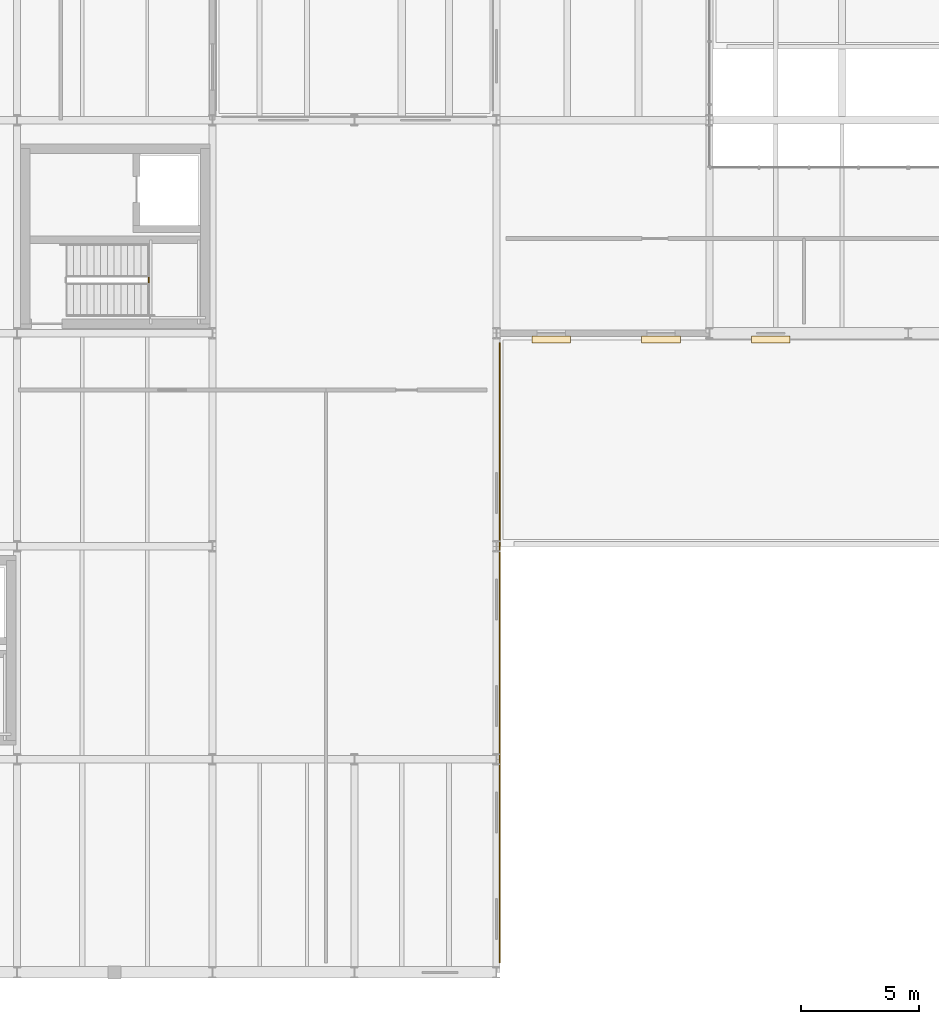
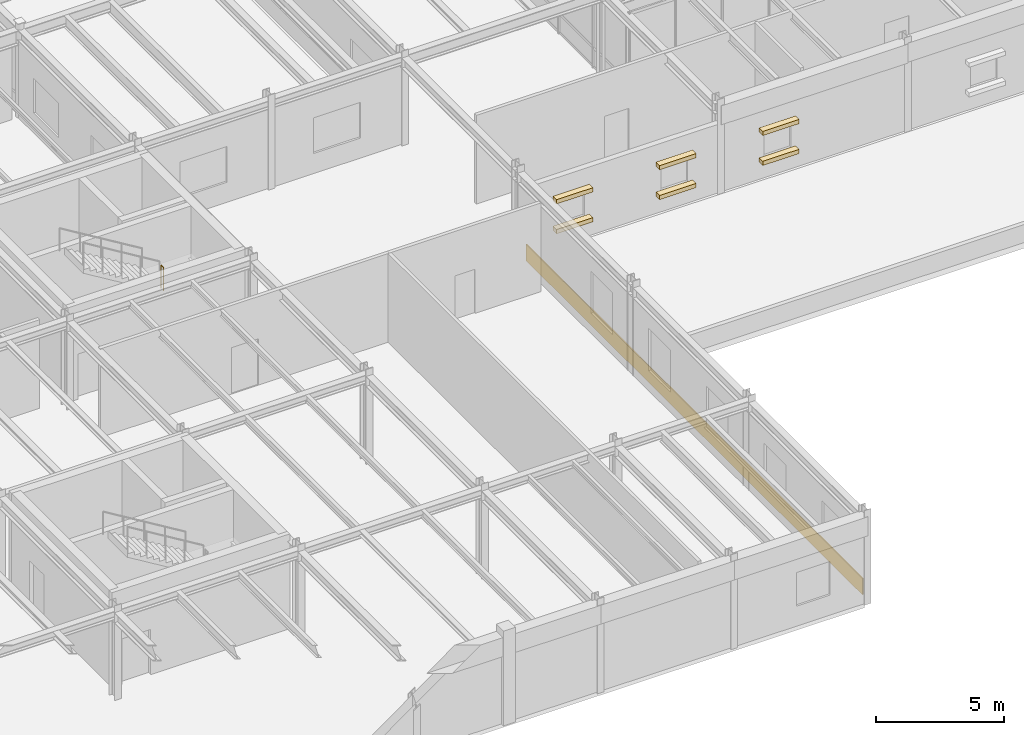
# One storey, part 59 of 64: 7 coverings, 1 railing.
"""IFC4 building model written with IfcOpenShell, lengths in metres."""

from ifc_helpers import new_model, si_unit, direction, frame, origin, origin_2d, place, context, subcontext, project, spatial, rectangle, circle, extrude, material, layer, layer_set, type_object, element, save


model = new_model("IFC4")

# Units and contexts
model_context = context("Model", 3, precision=1e-05, world=origin(), true_north=direction((0.0, 1.0)))
body_context = subcontext(model_context, "Body", "Model", "MODEL_VIEW")
ifc_project = project(units=[si_unit("LENGTHUNIT", "METRE"), si_unit("AREAUNIT", "SQUARE_METRE"), si_unit("VOLUMEUNIT", "CUBIC_METRE"), si_unit("PLANEANGLEUNIT", "RADIAN"), si_unit("MASSUNIT", "GRAM", prefix="KILO")], contexts=[model_context])

# Site, building, storey
site_placement = place(None, origin())
site = spatial("IfcSite", under=ifc_project, at=site_placement, CompositionType="ELEMENT")
building_placement = place(site_placement, origin())
building = spatial("IfcBuilding", under=site, at=building_placement, Name="Montealbar Specialist Clinic", CompositionType="ELEMENT")
storey_placement = place(building_placement, frame((0.0, 0.0, 5.10009765625)))
storey = spatial("IfcBuildingStorey", under=building, at=storey_placement, Name="L01", CompositionType="ELEMENT", Elevation=5.10009765625)

# Coverings
ifc_material_1 = material(Name="Terracotta architectural cladding", Category="masonry")
ifc_layer_1 = layer(ifc_material_1, 0.044921875, Name="Terracotta architectural cladding", Category="masonry")
ifc_layer_set_1 = layer_set([ifc_layer_1], Name="Terracotta architectural cladding")
covering_type_1 = type_object("IfcCoveringType", Name="COV-CLAD-TERRA", PredefinedType="CLADDING", material=ifc_layer_set_1)
covering_placement = place(storey_placement, frame((111.14990234375, 13.5, 0.02978515625), z_axis=(0.0, 0.0, 1.0), x_axis=(0.0, -1.0, 0.0)))
element("IfcCovering", 1, at=covering_placement, inside=storey, type_object=covering_type_1, Name="Facade Plinth Cladding Band L01-033", PredefinedType="CLADDING", context=body_context, shape_type="SweptSolid", body=[
    extrude(rectangle(XDim=26.199951171875, YDim=0.044921875, at=origin_2d()), origin(), (0.0, 0.0, 1.0), 0.780029296875),
])
ifc_material_2 = material(Name="Guadarrama granite ashlar", Category="masonry")
ifc_layer_2 = layer(ifc_material_2, 0.280029296875, Name="Guadarrama granite ashlar", Category="masonry")
ifc_layer_set_2 = layer_set([ifc_layer_2], Name="Guadarrama granite ashlar")
covering_type_2 = type_object("IfcCoveringType", Name="COV-HOOD-OCULUS", PredefinedType="CLADDING", material=ifc_layer_set_2)
for number, where, z_axis, x_axis, name in (
    (2, (122.591064453125, 26.735107421875, 2.23974609375), (0.0, 0.0, 1.0), (-1.0, 0.0, 0.0), "Postmodern Oculus Stone Frame L01-046-TOP"),
    (3, (122.591064453125, 26.735107421875, 0.81982421875), (0.0, 0.0, 1.0), (-1.0, 0.0, 0.0), "Postmodern Oculus Stone Frame L01-046-BOT"),
    (4, (117.955078125, 26.735107421875, 2.23974609375), (0.0, 0.0, 1.0), (-1.0, 0.0, 0.0), "Postmodern Oculus Stone Frame L01-047-TOP"),
    (5, (117.955078125, 26.735107421875, 0.81982421875), (0.0, 0.0, 1.0), (-1.0, 0.0, 0.0), "Postmodern Oculus Stone Frame L01-047-BOT"),
    (6, (113.318115234375, 26.735107421875, 2.23974609375), (0.0, 0.0, 1.0), (-1.0, 0.0, 0.0), "Postmodern Oculus Stone Frame L01-048-TOP"),
    (7, (113.318115234375, 26.735107421875, 0.81982421875), (0.0, 0.0, 1.0), (-1.0, 0.0, 0.0), "Postmodern Oculus Stone Frame L01-048-BOT"),
):
    element("IfcCovering", number, at=place(storey_placement, frame(where, z_axis=z_axis, x_axis=x_axis)), inside=storey, type_object=covering_type_2, Name=name, PredefinedType="CLADDING", context=body_context, shape_type="SweptSolid", body=[
        extrude(rectangle(XDim=1.639892578125, YDim=0.280029296875, at=origin_2d()), origin(), (0.0, 0.0, 1.0), 0.199951171875),
    ])

# Railing
ifc_material_3 = material(Name="Steel S355", Category="steel")
ifc_layer_3 = layer(ifc_material_3, 0.050048828125, Name="Steel S355", Category="steel")
ifc_layer_set_3 = layer_set([ifc_layer_3], Name="Steel S355")
railing_type = type_object("IfcRailingType", Name="RAIL-STAIR-BAL-1100", PredefinedType="BALUSTRADE", material=ifc_layer_set_3)
railing_placement = place(storey_placement, frame((96.320068359375, 29.14990234375, 2.25)))
element("IfcRailing", 8, at=railing_placement, inside=storey, type_object=railing_type, Name="L01 ST-05 stair guard 2", PredefinedType="BALUSTRADE", context=body_context, shape_type="SweptSolid", body=[
    extrude(circle(Radius=0.02392578125, at=origin_2d()), frame((0.0, 0.0, 1.076171875), z_axis=(0.0, 1.0, 0.0), x_axis=(-1.0, 0.0, 0.0)), (0.0, 0.0, 1.0), 0.2001953125),
    extrude(circle(Radius=0.02099609375, at=origin_2d()), frame((0.0, 0.0, -0.02490234375)), (0.0, 0.0, 1.0), 1.076904296875),
    extrude(circle(Radius=0.02099609375, at=origin_2d()), frame((0.0, 0.2001953125, -0.02490234375)), (0.0, 0.0, 1.0), 1.076904296875),
])

save(model, "model.ifc")
